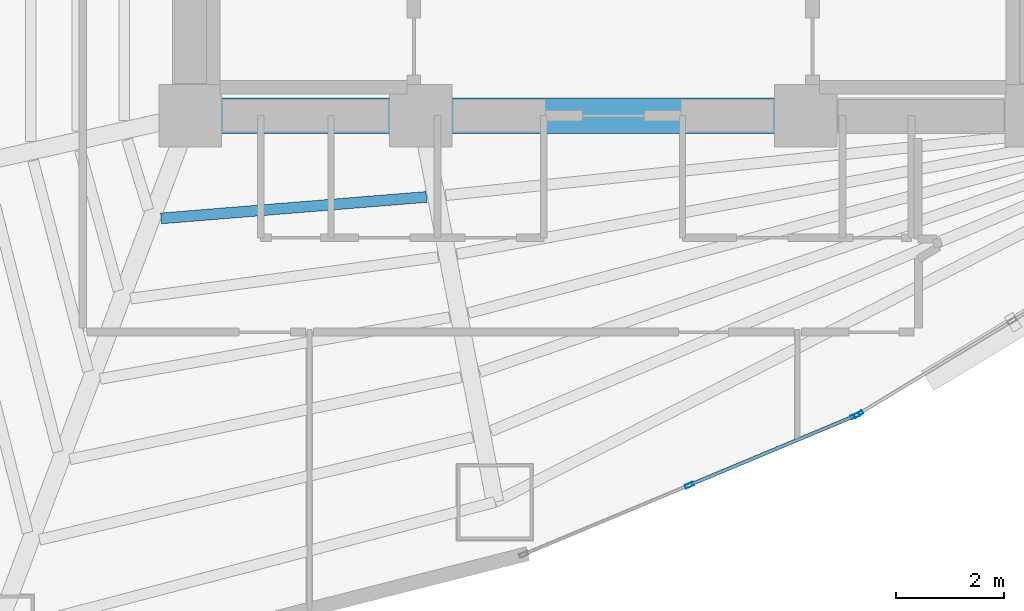
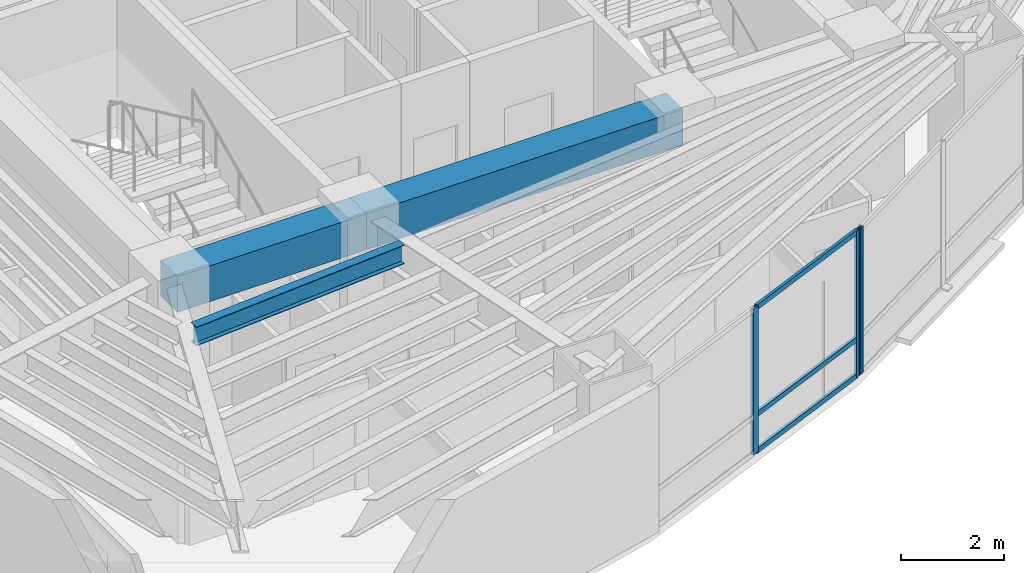
# One storey, part 4 of 17: 6 members, 3 beams, 2 elements without a shape of their own.
"""IFC4 building model written with IfcOpenShell, lengths in metres."""

from ifc_helpers import new_model, si_unit, direction, frame, origin, origin_2d, place, context, subcontext, project, spatial, rectangle, hollow_rectangle, i_section, extrude, material, layer, layer_set, material_profile, profile_set, type_object, element, aggregate, save


model = new_model("IFC4")

# Units and contexts
model_context = context("Model", 3, precision=1e-05, world=origin(), true_north=direction((0.0, 1.0)))
body_context = subcontext(model_context, "Body", "Model", "MODEL_VIEW")
ifc_project = project(units=[si_unit("LENGTHUNIT", "METRE"), si_unit("AREAUNIT", "SQUARE_METRE"), si_unit("VOLUMEUNIT", "CUBIC_METRE"), si_unit("PLANEANGLEUNIT", "RADIAN"), si_unit("MASSUNIT", "GRAM", prefix="KILO")], contexts=[model_context])

# Site, building, storey
site_placement = place(None, origin())
site = spatial("IfcSite", under=ifc_project, at=site_placement, CompositionType="ELEMENT")
building_placement = place(site_placement, origin())
building = spatial("IfcBuilding", under=site, at=building_placement, Name="Menara Vayukalpa", CompositionType="ELEMENT")
storey_placement = place(building_placement, frame((0.0, 0.0, 46.199951171875)))
storey = spatial("IfcBuildingStorey", under=building, at=storey_placement, Name="L10", CompositionType="ELEMENT", Elevation=46.199951171875)

# Beams
ifc_material_1 = material(Name="Concrete C60/75", Category="concrete")
ifc_material_profile_1 = material_profile(ifc_material_1, rectangle(XDim=0.64990234375, YDim=0.85009765625, at=origin_2d()), Name="RC 650x850")
ifc_profile_set_1 = profile_set([ifc_material_profile_1], Name="Concrete C60/75")
beam_type_1 = type_object("IfcBeamType", Name="BM-CB1", PredefinedType="BEAM", material=ifc_profile_set_1)
beam_1_placement = place(storey_placement, frame((17.800048828125, 17.199951171875, 3.045166015625), z_axis=(1.0, 0.0, 0.0), x_axis=(0.0, 1.0, 0.0)))
element("IfcBeam", 1, at=beam_1_placement, inside=storey, type_object=beam_type_1, Name="L10 Core Tie Beam CBR1", PredefinedType="BEAM", context=body_context, shape_type="SweptSolid", body=[
    extrude(rectangle(XDim=0.64990234375, YDim=0.85009765625, at=origin_2d()), origin(), (0.0, 0.0, 1.0), 4.25),
])
beam_2_placement = place(storey_placement, frame((22.050048828125, 17.199951171875, 3.045166015625), z_axis=(1.0, 0.0, 0.0), x_axis=(0.0, 1.0, 0.0)))
element("IfcBeam", 2, at=beam_2_placement, inside=storey, type_object=beam_type_1, Name="L10 Core Tie Beam CBR2", PredefinedType="BEAM", context=body_context, shape_type="SweptSolid", body=[
    extrude(rectangle(XDim=0.64990234375, YDim=0.85009765625, at=origin_2d()), origin(), (0.0, 0.0, 1.0), 7.099853515625),
])
ifc_material_2 = material(Name="Steel S355", Category="steel")
ifc_material_profile_2 = material_profile(ifc_material_2, i_section(OverallWidth=0.199951171875, OverallDepth=0.449951171875, WebThickness=0.009033203125, FlangeThickness=0.013916015625, at=origin_2d()), Name="WF 450x200x9x14")
ifc_profile_set_2 = profile_set([ifc_material_profile_2], Name="Steel S355")
beam_type_2 = type_object("IfcBeamType", Name="BM-SJ1", PredefinedType="JOIST", material=ifc_profile_set_2)
beam_3_placement = place(storey_placement, frame((17.262451171875, 15.306396484375, 3.2451171875), z_axis=(0.996745483939, 0.08061290373, 0.0), x_axis=(-0.08061290373, 0.996745483939, 0.0)))
element("IfcBeam", 3, at=beam_3_placement, inside=storey, type_object=beam_type_2, Name="L10 Secondary Floor Joist SJ07-1", PredefinedType="JOIST", context=body_context, shape_type="SweptSolid", body=[
    extrude(i_section(OverallWidth=0.199951171875, OverallDepth=0.449951171875, WebThickness=0.009033203125, FlangeThickness=0.013916015625, at=origin_2d()), origin(), (0.0, 0.0, 1.0), 4.9091796875),
])

# Curtain wall, members
ifc_material_3 = material(Name="Anodised Terracotta Aluminium Alloy 6063-T6", Category="masonry")
ifc_layer = layer(ifc_material_3, 0.1650390625)
ifc_layer_set = layer_set([ifc_layer], Name="Anodised Terracotta Aluminium Alloy 6063-T6")
curtain_wall_type = type_object("IfcCurtainWallType", Name="CW-CW2", PredefinedType="USERDEFINED", material=ifc_layer_set)
curtain_wall_1_placement = place(storey_placement, origin())
curtain_wall_1 = element("IfcCurtainWall", 4, at=curtain_wall_1_placement, inside=storey, type_object=curtain_wall_type, Name="L10 Low Rise Terracotta Ribbon Curtain Wall CW2 16", ObjectType="UNITISED", PredefinedType="USERDEFINED")
ifc_material_4 = material(Name="Anodised Terracotta Aluminium Alloy 6063-T6", Category="masonry")
ifc_material_profile_3 = material_profile(ifc_material_4, hollow_rectangle(XDim=0.070068359375, YDim=0.1650390625, WallThickness=0.00390625, at=origin_2d()), Name="ALU 70x165x4")
ifc_profile_set_3 = profile_set([ifc_material_profile_3], Name="Anodised Terracotta Aluminium Alloy 6063-T6")
member_type_1 = type_object("IfcMemberType", Name="CWM-CW2", PredefinedType="MULLION", material=ifc_profile_set_3)
member_1_placement = place(storey_placement, frame((27.0068359375, 10.388916015625, 0.0), z_axis=(0.0, 0.0, 1.0), x_axis=(-0.385895120445, 0.922542658101, 0.0)))
member_1 = element("IfcMember", 5, at=member_1_placement, type_object=member_type_1, Name="CW2 mullion 2", PredefinedType="MULLION", context=body_context, shape_type="SweptSolid", body=[
    extrude(hollow_rectangle(XDim=0.070068359375, YDim=0.1650390625, WallThickness=0.00390625, at=origin_2d()), origin(), (0.0, 0.0, 1.0), 3.469970703125),
])
member_2_placement = place(storey_placement, frame((30.062744140625, 11.6669921875, 0.0), z_axis=(0.0, 0.0, 1.0), x_axis=(-0.385895120445, 0.922542658101, 0.0)))
member_2 = element("IfcMember", 6, at=member_2_placement, type_object=member_type_1, Name="CW2 mullion 3", PredefinedType="MULLION", context=body_context, shape_type="SweptSolid", body=[
    extrude(hollow_rectangle(XDim=0.070068359375, YDim=0.1650390625, WallThickness=0.00390625, at=origin_2d()), origin(), (0.0, 0.0, 1.0), 3.469970703125),
])

# Curtain wall, member
curtain_wall_2_placement = place(storey_placement, origin())
curtain_wall_2 = element("IfcCurtainWall", 7, at=curtain_wall_2_placement, inside=storey, type_object=curtain_wall_type, Name="L10 Low Rise Terracotta Ribbon Curtain Wall CW2 17", ObjectType="UNITISED", PredefinedType="USERDEFINED")
member_3_placement = place(storey_placement, frame((30.125, 11.69873046875, 0.0), z_axis=(0.0, 0.0, 1.0), x_axis=(-0.519181964377, 0.854663727945, 0.0)))
member_3 = element("IfcMember", 8, at=member_3_placement, type_object=member_type_1, Name="CW2 mullion 1", PredefinedType="MULLION", context=body_context, shape_type="SweptSolid", body=[
    extrude(hollow_rectangle(XDim=0.070068359375, YDim=0.1650390625, WallThickness=0.00390625, at=origin_2d()), origin(), (0.0, 0.0, 1.0), 3.469970703125),
])
aggregate(curtain_wall_2, [member_3])

# Member
ifc_material_5 = material(Name="Anodised Terracotta Aluminium Alloy 6063-T6", Category="masonry")
ifc_material_profile_4 = material_profile(ifc_material_5, hollow_rectangle(XDim=0.06494140625, YDim=0.1201171875, WallThickness=0.00341796875, at=origin_2d()), Name="ALU 65x120x3.5")
ifc_profile_set_4 = profile_set([ifc_material_profile_4], Name="Anodised Terracotta Aluminium Alloy 6063-T6")
member_type_2 = type_object("IfcMemberType", Name="CWT-CW2", PredefinedType="USERDEFINED", material=ifc_profile_set_4)
member_4_placement = place(storey_placement, frame((27.0390625, 10.40234375, 0.032470703125), z_axis=(0.922552588381, 0.385871379699, 0.0), x_axis=(-0.385871379699, 0.922552588381, 0.0)))
member_4 = element("IfcMember", 9, at=member_4_placement, type_object=member_type_2, Name="CW2 transom 2.1", ObjectType="TRANSOM", PredefinedType="USERDEFINED", context=body_context, shape_type="SweptSolid", body=[
    extrude(hollow_rectangle(XDim=0.06494140625, YDim=0.1201171875, WallThickness=0.00341796875, at=origin_2d()), origin(), (0.0, 0.0, 1.0), 3.24267578125),
])

member_5_placement = place(storey_placement, frame((27.0390625, 10.40234375, 0.900146484375), z_axis=(0.922552588381, 0.385871379699, 0.0), x_axis=(-0.385871379699, 0.922552588381, 0.0)))
member_5 = element("IfcMember", 10, at=member_5_placement, type_object=member_type_2, Name="CW2 transom 2.2", ObjectType="TRANSOM", PredefinedType="USERDEFINED", context=body_context, shape_type="SweptSolid", body=[
    extrude(hollow_rectangle(XDim=0.06494140625, YDim=0.1201171875, WallThickness=0.00341796875, at=origin_2d()), origin(), (0.0, 0.0, 1.0), 3.24267578125),
])

member_6_placement = place(storey_placement, frame((27.0390625, 10.40234375, 3.4375), z_axis=(0.922552588381, 0.385871379699, 0.0), x_axis=(-0.385871379699, 0.922552588381, 0.0)))
member_6 = element("IfcMember", 11, at=member_6_placement, type_object=member_type_2, Name="CW2 transom 2.3", ObjectType="TRANSOM", PredefinedType="USERDEFINED", context=body_context, shape_type="SweptSolid", body=[
    extrude(hollow_rectangle(XDim=0.06494140625, YDim=0.1201171875, WallThickness=0.00341796875, at=origin_2d()), origin(), (0.0, 0.0, 1.0), 3.24267578125),
])

aggregate(curtain_wall_1, [member_1, member_2, member_4, member_5, member_6])

save(model, "model.ifc")
